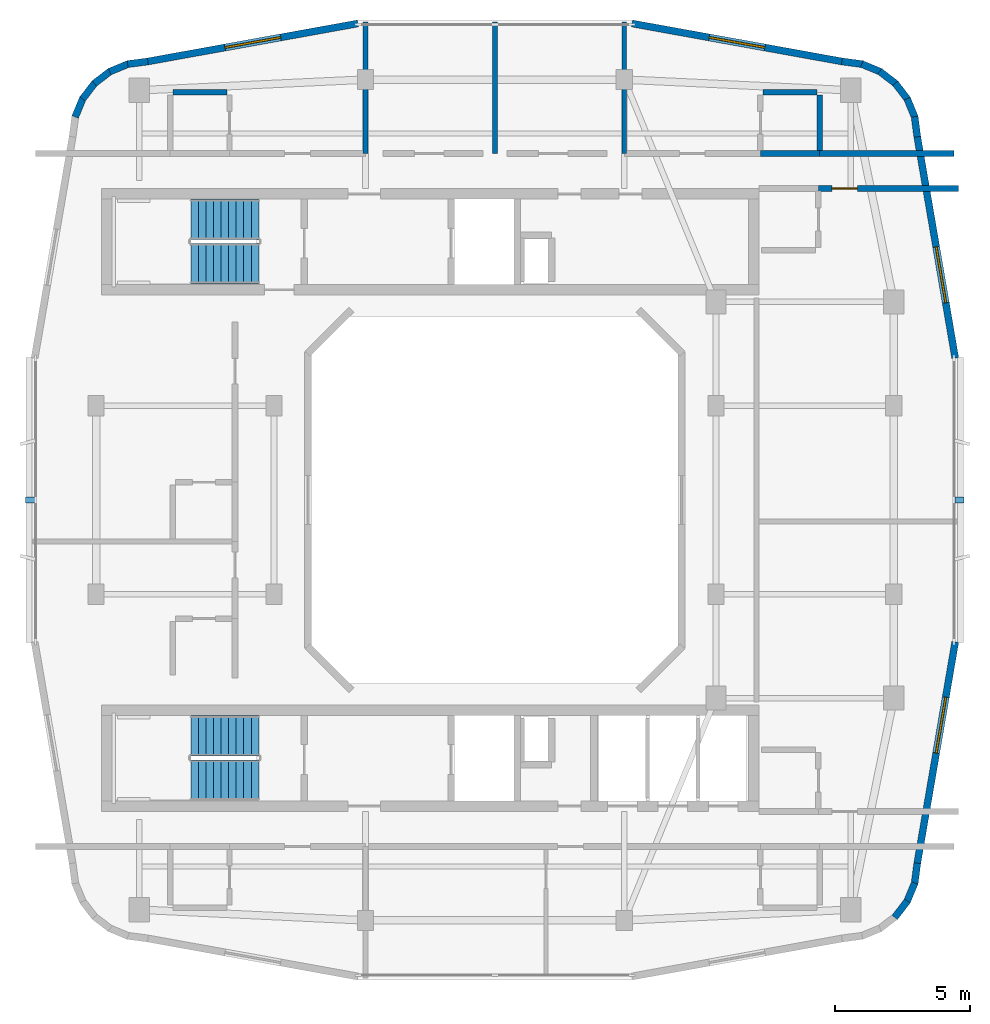
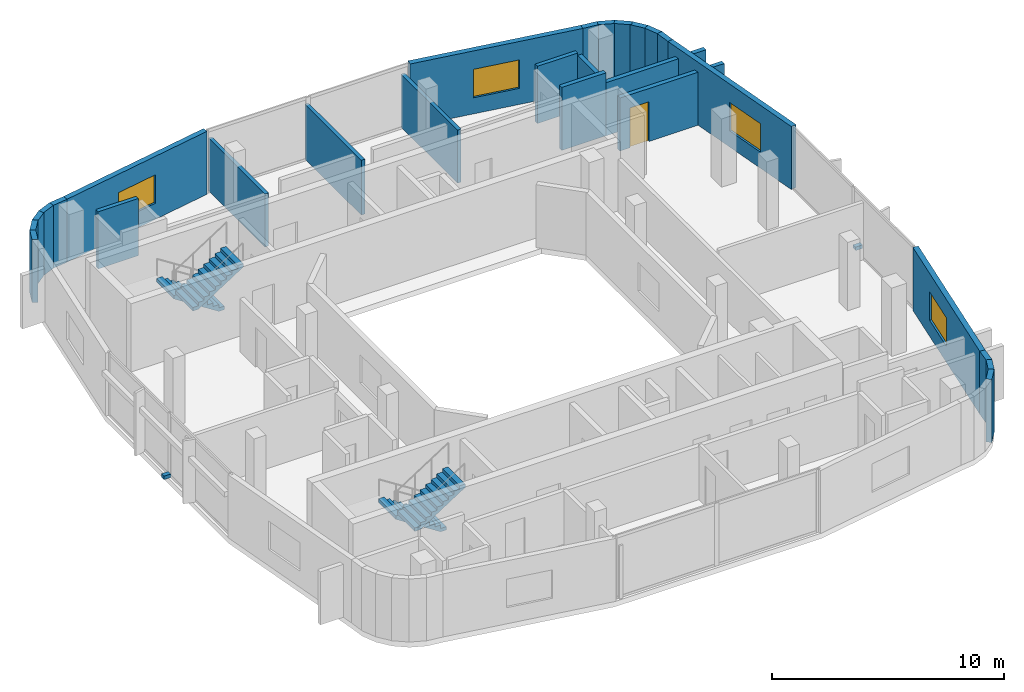
# One storey, part 6 of 8: 27 walls, 4 stair flights, 4 windows, 2 discrete accessories, 1 door, 5 openings, 2 elements without a shape of their own.
"""IFC4 building model written with IfcOpenShell, lengths in metres."""

from ifc_helpers import new_model, si_unit, derived_unit, direction, frame, frame_2d, origin, origin_2d, place, context, subcontext, project, spatial, polyline, rectangle, outline, extrude, material, layer, layer_set, type_object, element, fill, aggregate, save


model = new_model("IFC4")

# Units and contexts
model_context = context("Model", 3, precision=1e-05, world=origin(), true_north=direction((0.0, 1.0)))
body_context = subcontext(model_context, "Body", "Model", "MODEL_VIEW")
ifc_project = project(units=[si_unit("LENGTHUNIT", "METRE"), si_unit("AREAUNIT", "SQUARE_METRE"), si_unit("VOLUMEUNIT", "CUBIC_METRE"), si_unit("PLANEANGLEUNIT", "RADIAN"), si_unit("MASSUNIT", "GRAM", prefix="KILO"), derived_unit("THERMALTRANSMITTANCEUNIT", [(si_unit("POWERUNIT", "WATT"), 1), (si_unit("LENGTHUNIT", "METRE"), -2), (si_unit("THERMODYNAMICTEMPERATUREUNIT", "KELVIN"), -1)])], contexts=[model_context])

# Site, building, storey
site_placement = place(None, origin())
site = spatial("IfcSite", under=ifc_project, at=site_placement, CompositionType="ELEMENT")
building_placement = place(site_placement, origin())
building = spatial("IfcBuilding", under=site, at=building_placement, Name="Kivonza Crest Hotel", CompositionType="ELEMENT")
storey_placement = place(building_placement, frame((0.0, 0.0, 257.60009765625)))
storey = spatial("IfcBuildingStorey", under=building, at=storey_placement, Name="L70", CompositionType="ELEMENT", Elevation=257.60009765625)

# Walls
ifc_material_1 = material(Name="High-density acoustic masonry inter-tenancy wall", Category="masonry")
ifc_layer_1 = layer(ifc_material_1, 0.179931640625)
ifc_layer_set_1 = layer_set([ifc_layer_1], Name="High-density acoustic masonry inter-tenancy wall")
wall_type_1 = type_object("IfcWallType", Name="WL-ACOU-180", PredefinedType="SOLIDWALL", material=ifc_layer_set_1)
wall_1_placement = place(storey_placement, frame((16.199951171875, 37.860107421875, 0.0), z_axis=(0.0, 0.0, 1.0), x_axis=(0.0, 1.0, 0.0)))
element("IfcWall", 1, at=wall_1_placement, inside=storey, type_object=wall_type_1, Name="L70 interior partition WA-L70-T1N-DIV1", PredefinedType="SOLIDWALL", context=body_context, shape_type="SweptSolid", body=[
    extrude(rectangle(XDim=4.8798828125, YDim=0.179931640625, at=frame_2d((2.43994140625, 0.0))), origin(), (0.0, 0.0, 1.0), 2.794921875),
])
wall_2_placement = place(storey_placement, frame((21.0, 37.860107421875, 0.0), z_axis=(0.0, 0.0, 1.0), x_axis=(0.0, 1.0, 0.0)))
element("IfcWall", 2, at=wall_2_placement, inside=storey, type_object=wall_type_1, Name="L70 interior partition WA-L70-T1N-SPDIV70", PredefinedType="SOLIDWALL", context=body_context, shape_type="SweptSolid", body=[
    extrude(rectangle(XDim=4.8798828125, YDim=0.179931640625, at=frame_2d((2.43994140625, 0.0))), origin(), (0.0, 0.0, 1.0), 2.89501953125),
])
wall_3_placement = place(storey_placement, frame((25.800048828125, 37.860107421875, 0.0), z_axis=(0.0, 0.0, 1.0), x_axis=(0.0, 1.0, 0.0)))
element("IfcWall", 3, at=wall_3_placement, inside=storey, type_object=wall_type_1, Name="L70 interior partition WA-L70-T1N-DIV2", PredefinedType="SOLIDWALL", context=body_context, shape_type="SweptSolid", body=[
    extrude(rectangle(XDim=4.8798828125, YDim=0.179931640625, at=frame_2d((2.43994140625, 0.0))), origin(), (0.0, 0.0, 1.0), 2.794921875),
])
ifc_material_2 = material(Name="Autoclaved aerated concrete blockwork", Category="masonry")
ifc_layer_2 = layer(ifc_material_2, 0.219970703125)
ifc_layer_set_2 = layer_set([ifc_layer_2], Name="Autoclaved aerated concrete blockwork")
wall_type_2 = type_object("IfcWallType", Name="WL-ACOU-220", PredefinedType="SOLIDWALL", material=ifc_layer_set_2)
wall_4_placement = place(storey_placement, frame((33.050048828125, 37.860107421875, 0.0), z_axis=(0.0, 0.0, 1.0), x_axis=(1.0, 0.0, 0.0)))
element("IfcWall", 4, at=wall_4_placement, inside=storey, type_object=wall_type_2, Name="L70 interior partition WA-L70-N02-XCORR", PredefinedType="SOLIDWALL", context=body_context, shape_type="SweptSolid", body=[
    extrude(rectangle(XDim=4.989990234375, YDim=0.219970703125, at=frame_2d((2.4951171875, 0.0))), origin(), (0.0, 0.0, 1.0), 2.794921875),
])
wall_5_placement = place(storey_placement, frame((30.85009765625, 37.860107421875, 0.0), z_axis=(0.0, 0.0, 1.0), x_axis=(1.0, 0.0, 0.0)))
element("IfcWall", 5, at=wall_5_placement, inside=storey, type_object=wall_type_2, Name="L70 interior partition WA-L70-N02-BCORR", PredefinedType="SOLIDWALL", context=body_context, shape_type="SweptSolid", body=[
    extrude(rectangle(XDim=2.199951171875, YDim=0.219970703125, at=frame_2d((1.10009765625, 0.0))), origin(), (0.0, 0.0, 1.0), 3.31982421875),
])

# Wall, opening, door
wall_6_placement = place(storey_placement, frame((33.0, 36.56005859375, 0.0), z_axis=(0.0, 0.0, 1.0), x_axis=(1.0, 0.0, 0.0)))
wall_6 = element("IfcWall", 6, at=wall_6_placement, inside=storey, type_object=wall_type_2, Name="L70 interior partition WA-L70-EN08-MCORR", PredefinedType="SOLIDWALL", context=body_context, shape_type="SweptSolid", body=[
    extrude(rectangle(XDim=5.199951171875, YDim=0.219970703125, at=frame_2d((2.60009765625, 0.0))), origin(), (0.0, 0.0, 1.0), 2.794921875),
])
opening_1_placement = place(wall_6_placement, frame((0.5, 0.0, 0.0)))
opening_1 = element("IfcOpeningElement", 7, at=opening_1_placement, cuts=wall_6, Name="Opening DU-60", PredefinedType="OPENING", context=body_context, shape_type="SweptSolid", body=[
    extrude(rectangle(XDim=0.949951171875, YDim=2.10009765625, at=frame_2d((0.47509765625, 1.050048828125))), frame((0.0, 0.1201171875, 0.0), z_axis=(0.0, -1.0, 0.0), x_axis=(1.0, 0.0, 0.0)), (0.0, 0.0, 1.0), 0.239990234375),
])
ifc_material_3 = material(Name="Hardwood timber oak", Category="wood")
door_type = type_object("IfcDoorType", Name="DR-UNIT-950", OperationType="NOTDEFINED", PredefinedType="DOOR", material=ifc_material_3)
door_placement = place(opening_1_placement, frame((0.949951171875, 0.0, 0.0), z_axis=(0.0, 0.0, 1.0), x_axis=(-1.0, 0.0, 0.0)))
door = element("IfcDoor", 8, at=door_placement, inside=storey, type_object=door_type, Name="L70 EN08 guest unit entrance fire door", OperationType="SINGLE_SWING_LEFT", OverallHeight=2.10009765625, OverallWidth=0.949951171875, PredefinedType="DOOR", context=body_context, shape_type="SweptSolid", body=[
    extrude(rectangle(XDim=0.949951171875, YDim=2.10009765625, at=frame_2d((0.47509765625, 1.050048828125))), frame((0.0, 0.02490234375, 0.0), z_axis=(0.0, -1.0, 0.0), x_axis=(1.0, 0.0, 0.0)), (0.0, 0.0, 1.0), 0.050048828125),
])
fill(opening_1, door)

# Walls
ifc_material_4 = material(Name="Precast concrete C40/50", Category="concrete")
ifc_layer_3 = layer(ifc_material_4, 0.260009765625)
ifc_layer_set_3 = layer_set([ifc_layer_3], Name="Precast concrete C40/50")
wall_type_3 = type_object("IfcWallType", Name="WL-EXT-260", PredefinedType="STANDARD", material=ifc_layer_set_3)
for number, where, z_axis, x_axis, name in (
    (9, (35.8330078125, 9.508056640625, 0.0), (0.0, 0.0, 1.0), (0.607614460654, 0.794232124259, 0.0), "L70 T1 exterior insulated wall 13"),
    (10, (36.281005859375, 10.076904296875, 0.0), (0.0, 0.0, 1.0), (0.383245345798, 0.923646580096, 0.0), "L70 T1 exterior insulated wall 14"),
):
    element("IfcWall", number, at=place(storey_placement, frame(where, z_axis=z_axis, x_axis=x_axis)), inside=storey, type_object=wall_type_3, Name=name, PredefinedType="STANDARD", context=body_context, shape_type="SweptSolid", body=[
        extrude(rectangle(XDim=0.77197265625, YDim=0.260009765625, at=frame_2d((0.385986328125, 0.0))), origin(), (0.0, 0.0, 1.0), 3.31982421875),
    ])
wall_7_placement = place(storey_placement, frame((36.569091796875, 10.740966796875, 0.0), z_axis=(0.0, 0.0, 1.0), x_axis=(0.130302751316, 0.991474252313, 0.0)))
element("IfcWall", 11, at=wall_7_placement, inside=storey, type_object=wall_type_3, Name="L70 T1 exterior insulated wall 15", PredefinedType="STANDARD", context=body_context, shape_type="SweptSolid", body=[
    extrude(rectangle(XDim=0.790771484375, YDim=0.260009765625, at=frame_2d((0.3955078125, 0.0))), origin(), (0.0, 0.0, 1.0), 3.31982421875),
])

# Wall, opening, window
wall_8_placement = place(storey_placement, frame((36.6708984375, 11.513916015625, 0.0), z_axis=(0.0, 0.0, 1.0), x_axis=(0.169038545376, 0.985609440994, 0.0)))
wall_8 = element("IfcWall", 12, at=wall_8_placement, inside=storey, type_object=wall_type_3, Name="L70 T1 exterior insulated wall 16", PredefinedType="STANDARD", context=body_context, shape_type="SweptSolid", body=[
    extrude(rectangle(XDim=8.34228515625, YDim=0.260009765625, at=frame_2d((4.171142578125, 0.0))), origin(), (0.0, 0.0, 1.0), 3.31982421875),
])
opening_2_placement = place(wall_8_placement, frame((4.156005859375, 0.0, 0.85009765625)))
opening_2 = element("IfcOpeningElement", 13, at=opening_2_placement, cuts=wall_8, Name="Opening WN-04", PredefinedType="OPENING", context=body_context, shape_type="SweptSolid", body=[
    extrude(rectangle(XDim=2.10009765625, YDim=1.5, at=frame_2d((1.050048828125, 0.75))), frame((0.0, 0.14013671875, 0.0), z_axis=(0.0, -1.0, 0.0), x_axis=(1.0, 0.0, 0.0)), (0.0, 0.0, 1.0), 0.280029296875),
])
ifc_material_5 = material(Name="Thermally broken bronze aluminium and low-E double glazing", Category="aluminium")
window_type = type_object("IfcWindowType", Name="WN-210x150", PartitioningType="DOUBLE_PANEL_VERTICAL", PredefinedType="WINDOW", material=ifc_material_5)
window_1_placement = place(opening_2_placement, origin())
window_1 = element("IfcWindow", 14, at=window_1_placement, inside=storey, type_object=window_type, Name="L70 T1 facade window 16", OverallHeight=1.5, OverallWidth=2.10009765625, PartitioningType="SINGLE_PANEL", PredefinedType="WINDOW", context=body_context, shape_type="SweptSolid", body=[
    extrude(rectangle(XDim=2.10009765625, YDim=1.5, at=frame_2d((1.050048828125, 0.75))), frame((0.0, 0.030029296875, 0.0), z_axis=(0.0, -1.0, 0.0), x_axis=(1.0, 0.0, 0.0)), (0.0, 0.0, 1.0), 0.06005859375),
])
fill(opening_2, window_1)

wall_9_placement = place(storey_placement, frame((38.0810546875, 30.263916015625, 0.0), z_axis=(0.0, 0.0, 1.0), x_axis=(-0.169038545376, 0.985609440994, 0.0)))
wall_9 = element("IfcWall", 15, at=wall_9_placement, inside=storey, type_object=wall_type_3, Name="L70 T1 exterior insulated wall 18", PredefinedType="STANDARD", context=body_context, shape_type="SweptSolid", body=[
    extrude(rectangle(XDim=8.34228515625, YDim=0.260009765625, at=frame_2d((4.171142578125, 0.0))), origin(), (0.0, 0.0, 1.0), 3.31982421875),
])
opening_3_placement = place(wall_9_placement, frame((2.0869140625, 0.0, 0.85009765625)))
opening_3 = element("IfcOpeningElement", 16, at=opening_3_placement, cuts=wall_9, Name="Opening WN-04", PredefinedType="OPENING", context=body_context, shape_type="SweptSolid", body=[
    extrude(rectangle(XDim=2.10009765625, YDim=1.5, at=frame_2d((1.050048828125, 0.75))), frame((0.0, 0.14013671875, 0.0), z_axis=(0.0, -1.0, 0.0), x_axis=(1.0, 0.0, 0.0)), (0.0, 0.0, 1.0), 0.280029296875),
])
window_2_placement = place(opening_3_placement, origin())
window_2 = element("IfcWindow", 17, at=window_2_placement, inside=storey, type_object=window_type, Name="L70 T1 facade window 18", OverallHeight=1.5, OverallWidth=2.10009765625, PartitioningType="SINGLE_PANEL", PredefinedType="WINDOW", context=body_context, shape_type="SweptSolid", body=[
    extrude(rectangle(XDim=2.10009765625, YDim=1.5, at=frame_2d((1.050048828125, 0.75))), frame((0.0, 0.030029296875, 0.0), z_axis=(0.0, -1.0, 0.0), x_axis=(1.0, 0.0, 0.0)), (0.0, 0.0, 1.0), 0.06005859375),
])
fill(opening_3, window_2)

# Walls
wall_10_placement = place(storey_placement, frame((36.672119140625, 38.47509765625, 0.0), z_axis=(0.0, 0.0, 1.0), x_axis=(-0.131190038694, 0.991357238208, 0.0)))
element("IfcWall", 18, at=wall_10_placement, inside=storey, type_object=wall_type_3, Name="L70 T1 exterior insulated wall 19", PredefinedType="STANDARD", context=body_context, shape_type="SweptSolid", body=[
    extrude(rectangle(XDim=0.755615234375, YDim=0.260009765625, at=frame_2d((0.3779296875, 0.0))), origin(), (0.0, 0.0, 1.0), 3.31982421875),
])
wall_11_placement = place(storey_placement, frame((36.591064453125, 39.177978515625, 0.0), z_axis=(0.0, 0.0, 1.0), x_axis=(-0.383515061956, 0.923534621578, 0.0)))
element("IfcWall", 19, at=wall_11_placement, inside=storey, type_object=wall_type_3, Name="L70 T1 exterior insulated wall 20", PredefinedType="STANDARD", context=body_context, shape_type="SweptSolid", body=[
    extrude(rectangle(XDim=0.772216796875, YDim=0.260009765625, at=frame_2d((0.38623046875, 0.0))), origin(), (0.0, 0.0, 1.0), 3.31982421875),
])
for number, where, z_axis, x_axis, name in (
    (20, (36.322998046875, 39.85107421875, 0.0), (0.0, 0.0, 1.0), (-0.607614460654, 0.794232124259, 0.0), "L70 T1 exterior insulated wall 21"),
    (21, (35.89208984375, 40.43310546875, 0.0), (0.0, 0.0, 1.0), (-0.794232124259, 0.607614460654, 0.0), "L70 T1 exterior insulated wall 22"),
    (22, (35.322998046875, 40.881103515625, 0.0), (0.0, 0.0, 1.0), (-0.92360011591, 0.383357308384, 0.0), "L70 T1 exterior insulated wall 23"),
):
    element("IfcWall", number, at=place(storey_placement, frame(where, z_axis=z_axis, x_axis=x_axis)), inside=storey, type_object=wall_type_3, Name=name, PredefinedType="STANDARD", context=body_context, shape_type="SweptSolid", body=[
        extrude(rectangle(XDim=0.77197265625, YDim=0.260009765625, at=frame_2d((0.385986328125, 0.0))), origin(), (0.0, 0.0, 1.0), 3.31982421875),
    ])
wall_12_placement = place(storey_placement, frame((34.658935546875, 41.1689453125, 0.0), z_axis=(0.0, 0.0, 1.0), x_axis=(-0.991474252313, 0.130302751316, 0.0)))
element("IfcWall", 23, at=wall_12_placement, inside=storey, type_object=wall_type_3, Name="L70 T1 exterior insulated wall 24", PredefinedType="STANDARD", context=body_context, shape_type="SweptSolid", body=[
    extrude(rectangle(XDim=0.790771484375, YDim=0.260009765625, at=frame_2d((0.3955078125, 0.0))), origin(), (0.0, 0.0, 1.0), 3.31982421875),
])

# Wall, opening, window
wall_13_placement = place(storey_placement, frame((33.885009765625, 41.27099609375, 0.0), z_axis=(0.0, 0.0, 1.0), x_axis=(-0.984039441158, 0.177950493803, 0.0)))
wall_13 = element("IfcWall", 24, at=wall_13_placement, inside=storey, type_object=wall_type_3, Name="L70 T1 exterior insulated wall 25", PredefinedType="STANDARD", context=body_context, shape_type="SweptSolid", body=[
    extrude(rectangle(XDim=7.928466796875, YDim=0.260009765625, at=frame_2d((3.96435546875, 0.0))), origin(), (0.0, 0.0, 1.0), 3.31982421875),
])
opening_4_placement = place(wall_13_placement, frame((2.9140625, 0.0, 0.85009765625)))
opening_4 = element("IfcOpeningElement", 25, at=opening_4_placement, cuts=wall_13, Name="Opening WN-04", PredefinedType="OPENING", context=body_context, shape_type="SweptSolid", body=[
    extrude(rectangle(XDim=2.10009765625, YDim=1.5, at=frame_2d((1.050048828125, 0.75))), frame((0.0, 0.14013671875, 0.0), z_axis=(0.0, -1.0, 0.0), x_axis=(1.0, 0.0, 0.0)), (0.0, 0.0, 1.0), 0.280029296875),
])
window_3_placement = place(opening_4_placement, origin())
window_3 = element("IfcWindow", 26, at=window_3_placement, inside=storey, type_object=window_type, Name="L70 T1 facade window 25", OverallHeight=1.5, OverallWidth=2.10009765625, PartitioningType="SINGLE_PANEL", PredefinedType="WINDOW", context=body_context, shape_type="SweptSolid", body=[
    extrude(rectangle(XDim=2.10009765625, YDim=1.5, at=frame_2d((1.050048828125, 0.75))), frame((0.0, 0.030029296875, 0.0), z_axis=(0.0, -1.0, 0.0), x_axis=(1.0, 0.0, 0.0)), (0.0, 0.0, 1.0), 0.06005859375),
])
fill(opening_4, window_3)

wall_14_placement = place(storey_placement, frame((15.9169921875, 42.681884765625, 0.0), z_axis=(0.0, 0.0, 1.0), x_axis=(-0.984039441158, -0.177950493803, 0.0)))
wall_14 = element("IfcWall", 27, at=wall_14_placement, inside=storey, type_object=wall_type_3, Name="L70 T1 exterior insulated wall 27", PredefinedType="STANDARD", context=body_context, shape_type="SweptSolid", body=[
    extrude(rectangle(XDim=7.928466796875, YDim=0.260009765625, at=frame_2d((3.96435546875, 0.0))), origin(), (0.0, 0.0, 1.0), 3.31982421875),
])
opening_5_placement = place(wall_14_placement, frame((2.9140625, 0.0, 0.85009765625)))
opening_5 = element("IfcOpeningElement", 28, at=opening_5_placement, cuts=wall_14, Name="Opening WN-04", PredefinedType="OPENING", context=body_context, shape_type="SweptSolid", body=[
    extrude(rectangle(XDim=2.10009765625, YDim=1.5, at=frame_2d((1.050048828125, 0.75))), frame((0.0, 0.14013671875, 0.0), z_axis=(0.0, -1.0, 0.0), x_axis=(1.0, 0.0, 0.0)), (0.0, 0.0, 1.0), 0.280029296875),
])
window_4_placement = place(opening_5_placement, origin())
window_4 = element("IfcWindow", 29, at=window_4_placement, inside=storey, type_object=window_type, Name="L70 T1 facade window 27", OverallHeight=1.5, OverallWidth=2.10009765625, PartitioningType="SINGLE_PANEL", PredefinedType="WINDOW", context=body_context, shape_type="SweptSolid", body=[
    extrude(rectangle(XDim=2.10009765625, YDim=1.5, at=frame_2d((1.050048828125, 0.75))), frame((0.0, 0.030029296875, 0.0), z_axis=(0.0, -1.0, 0.0), x_axis=(1.0, 0.0, 0.0)), (0.0, 0.0, 1.0), 0.06005859375),
])
fill(opening_5, window_4)

# Walls
wall_15_placement = place(storey_placement, frame((8.125, 41.27197265625, 0.0), z_axis=(0.0, 0.0, 1.0), x_axis=(-0.99139921394, -0.130872451645, 0.0)))
element("IfcWall", 30, at=wall_15_placement, inside=storey, type_object=wall_type_3, Name="L70 T1 exterior insulated wall 28", PredefinedType="STANDARD", context=body_context, shape_type="SweptSolid", body=[
    extrude(rectangle(XDim=0.755615234375, YDim=0.260009765625, at=frame_2d((0.3779296875, 0.0))), origin(), (0.0, 0.0, 1.0), 3.31982421875),
])
for number, where, z_axis, x_axis, name in (
    (31, (7.422119140625, 41.19091796875, 0.0), (0.0, 0.0, 1.0), (-0.923646580096, -0.383245345798, 0.0), "L70 T1 exterior insulated wall 29"),
    (32, (6.7490234375, 40.923095703125, 0.0), (0.0, 0.0, 1.0), (-0.794232124259, -0.607614460654, 0.0), "L70 T1 exterior insulated wall 30"),
    (33, (6.1669921875, 40.491943359375, 0.0), (0.0, 0.0, 1.0), (-0.607614460654, -0.794232124259, 0.0), "L70 T1 exterior insulated wall 31"),
    (34, (5.718994140625, 39.923095703125, 0.0), (0.0, 0.0, 1.0), (-0.383245345798, -0.923646580096, 0.0), "L70 T1 exterior insulated wall 32"),
):
    element("IfcWall", number, at=place(storey_placement, frame(where, z_axis=z_axis, x_axis=x_axis)), inside=storey, type_object=wall_type_3, Name=name, PredefinedType="STANDARD", context=body_context, shape_type="SweptSolid", body=[
        extrude(rectangle(XDim=0.77197265625, YDim=0.260009765625, at=frame_2d((0.385986328125, 0.0))), origin(), (0.0, 0.0, 1.0), 3.31982421875),
    ])
ifc_material_6 = material(Name="Moisture-resistant plumbing chase partition wall", Category="gypsum")
ifc_layer_4 = layer(ifc_material_6, 0.199951171875)
ifc_layer_set_4 = layer_set([ifc_layer_4], Name="Moisture-resistant plumbing chase partition wall")
wall_type_4 = type_object("IfcWallType", Name="WL-PLUMB-200", PredefinedType="PLUMBINGWALL", material=ifc_layer_set_4)
for number, where, z_axis, x_axis, name in (
    (35, (9.050048828125, 40.132080078125, 0.0), (0.0, 0.0, 1.0), (1.0, 0.0, 0.0), "L70 interior partition WW-L70-N01-BH"),
    (36, (30.949951171875, 40.132080078125, 0.0), (0.0, 0.0, 1.0), (1.0, 0.0, 0.0), "L70 interior partition WW-L70-N02-BH"),
):
    element("IfcWall", number, at=place(storey_placement, frame(where, z_axis=z_axis, x_axis=x_axis)), inside=storey, type_object=wall_type_4, Name=name, PredefinedType="PLUMBINGWALL", context=body_context, shape_type="SweptSolid", body=[
        extrude(rectangle(XDim=2.0, YDim=0.199951171875, at=frame_2d((1.0, 0.0))), origin(), (0.0, 0.0, 1.0), 3.014892578125),
    ])
wall_16_placement = place(storey_placement, frame((33.050048828125, 37.9599609375, 0.0), z_axis=(0.0, 0.0, 1.0), x_axis=(0.0, 1.0, 0.0)))
element("IfcWall", 37, at=wall_16_placement, inside=storey, type_object=wall_type_4, Name="L70 interior partition WW-L70-N02-BVE", PredefinedType="PLUMBINGWALL", context=body_context, shape_type="SweptSolid", body=[
    extrude(rectangle(XDim=2.072021484375, YDim=0.199951171875, at=frame_2d((1.0361328125, 0.0))), origin(), (0.0, 0.0, 1.0), 2.89501953125),
])

# Stair, stair flights
ifc_material_7 = material(Name="Concrete C40/50", Category="concrete")
stair_type = type_object("IfcStairType", Name="ST-DL-20R", PredefinedType="HALF_TURN_STAIR", material=ifc_material_7)
stair_1_placement = place(storey_placement, origin())
stair_1 = element("IfcStair", 38, at=stair_1_placement, inside=storey, type_object=stair_type, Name="L70 Protected Exit Stair ST-T1-N", PredefinedType="HALF_TURN_STAIR")
stair_flight_type = type_object("IfcStairFlightType", Name="SFL-RC-10R", PredefinedType="STRAIGHT", material=ifc_material_7)
stair_flight_1_placement = place(storey_placement, frame((12.239990234375, 35.409912109375, 0.0), z_axis=(0.0, 0.0, 1.0), x_axis=(-1.0, 0.0, 0.0)))
stair_flight_1 = element("IfcStairFlight", 39, at=stair_flight_1_placement, type_object=stair_flight_type, Name="ST-T1-N flight 1", NumberOfRisers=10, NumberOfTreads=9, PredefinedType="STRAIGHT", RiserHeight=0.18, TreadLength=0.28, context=body_context, shape_type="SweptSolid", body=[
    extrude(outline(polyline([(0.0, 0.0), (0.0, 0.179931640625), (0.280029296875, 0.179931640625), (0.280029296875, 0.360107421875), (0.56005859375, 0.360107421875), (0.56005859375, 0.5400390625), (0.840087890625, 0.5400390625), (0.840087890625, 0.719970703125), (1.1201171875, 0.719970703125), (1.1201171875, 0.89990234375), (1.39990234375, 0.89990234375), (1.39990234375, 1.080078125), (1.679931640625, 1.080078125), (1.679931640625, 1.260009765625), (1.9599609375, 1.260009765625), (1.9599609375, 1.43994140625), (2.239990234375, 1.43994140625), (2.239990234375, 1.6201171875), (2.52001953125, 1.6201171875), (2.52001953125, 1.800048828125), (2.52001953125, 1.44189453125), (0.277099609375, 0.0), (0.0, 0.0)])), frame((0.0, 0.75, 0.0), z_axis=(0.0, -1.0, 0.0), x_axis=(1.0, 0.0, 0.0)), (0.0, 0.0, 1.0), 1.5),
])
stair_flight_2_placement = place(storey_placement, frame((9.719970703125, 33.77001953125, 1.7998046875), z_axis=(0.0, 0.0, 1.0), x_axis=(1.0, 0.0, 0.0)))
stair_flight_2 = element("IfcStairFlight", 40, at=stair_flight_2_placement, type_object=stair_flight_type, Name="ST-T1-N flight 2", NumberOfRisers=10, NumberOfTreads=9, PredefinedType="STRAIGHT", RiserHeight=0.18, TreadLength=0.28, context=body_context, shape_type="SweptSolid", body=[
    extrude(outline(polyline([(0.0, 0.0), (0.0, 0.179931640625), (0.280029296875, 0.179931640625), (0.280029296875, 0.360107421875), (0.56005859375, 0.360107421875), (0.56005859375, 0.5400390625), (0.840087890625, 0.5400390625), (0.840087890625, 0.719970703125), (1.1201171875, 0.719970703125), (1.1201171875, 0.89990234375), (1.39990234375, 0.89990234375), (1.39990234375, 1.080078125), (1.679931640625, 1.080078125), (1.679931640625, 1.260009765625), (1.9599609375, 1.260009765625), (1.9599609375, 1.43994140625), (2.239990234375, 1.43994140625), (2.239990234375, 1.6201171875), (2.52001953125, 1.6201171875), (2.52001953125, 1.800048828125), (2.52001953125, 1.44189453125), (0.277099609375, 0.0), (0.0, 0.0)])), frame((0.0, 0.75, 0.0), z_axis=(0.0, -1.0, 0.0), x_axis=(1.0, 0.0, 0.0)), (0.0, 0.0, 1.0), 1.5),
])
aggregate(stair_1, [stair_flight_1, stair_flight_2])

stair_2_placement = place(storey_placement, origin())
stair_2 = element("IfcStair", 41, at=stair_2_placement, inside=storey, type_object=stair_type, Name="L70 Protected Exit Stair ST-T1-S", PredefinedType="HALF_TURN_STAIR")
stair_flight_3_placement = place(storey_placement, frame((12.239990234375, 16.25, 0.0), z_axis=(0.0, 0.0, 1.0), x_axis=(-1.0, 0.0, 0.0)))
stair_flight_3 = element("IfcStairFlight", 42, at=stair_flight_3_placement, type_object=stair_flight_type, Name="ST-T1-S flight 1", NumberOfRisers=10, NumberOfTreads=9, PredefinedType="STRAIGHT", RiserHeight=0.18, TreadLength=0.28, context=body_context, shape_type="SweptSolid", body=[
    extrude(outline(polyline([(0.0, 0.0), (0.0, 0.179931640625), (0.280029296875, 0.179931640625), (0.280029296875, 0.360107421875), (0.56005859375, 0.360107421875), (0.56005859375, 0.5400390625), (0.840087890625, 0.5400390625), (0.840087890625, 0.719970703125), (1.1201171875, 0.719970703125), (1.1201171875, 0.89990234375), (1.39990234375, 0.89990234375), (1.39990234375, 1.080078125), (1.679931640625, 1.080078125), (1.679931640625, 1.260009765625), (1.9599609375, 1.260009765625), (1.9599609375, 1.43994140625), (2.239990234375, 1.43994140625), (2.239990234375, 1.6201171875), (2.52001953125, 1.6201171875), (2.52001953125, 1.800048828125), (2.52001953125, 1.44189453125), (0.277099609375, 0.0), (0.0, 0.0)])), frame((0.0, 0.75, 0.0), z_axis=(0.0, -1.0, 0.0), x_axis=(1.0, 0.0, 0.0)), (0.0, 0.0, 1.0), 1.5),
])
stair_flight_4_placement = place(storey_placement, frame((9.719970703125, 14.610107421875, 1.7998046875), z_axis=(0.0, 0.0, 1.0), x_axis=(1.0, 0.0, 0.0)))
stair_flight_4 = element("IfcStairFlight", 43, at=stair_flight_4_placement, type_object=stair_flight_type, Name="ST-T1-S flight 2", NumberOfRisers=10, NumberOfTreads=9, PredefinedType="STRAIGHT", RiserHeight=0.18, TreadLength=0.28, context=body_context, shape_type="SweptSolid", body=[
    extrude(outline(polyline([(0.0, 0.0), (0.0, 0.179931640625), (0.280029296875, 0.179931640625), (0.280029296875, 0.360107421875), (0.56005859375, 0.360107421875), (0.56005859375, 0.5400390625), (0.840087890625, 0.5400390625), (0.840087890625, 0.719970703125), (1.1201171875, 0.719970703125), (1.1201171875, 0.89990234375), (1.39990234375, 0.89990234375), (1.39990234375, 1.080078125), (1.679931640625, 1.080078125), (1.679931640625, 1.260009765625), (1.9599609375, 1.260009765625), (1.9599609375, 1.43994140625), (2.239990234375, 1.43994140625), (2.239990234375, 1.6201171875), (2.52001953125, 1.6201171875), (2.52001953125, 1.800048828125), (2.52001953125, 1.44189453125), (0.277099609375, 0.0), (0.0, 0.0)])), frame((0.0, 0.75, 0.0), z_axis=(0.0, -1.0, 0.0), x_axis=(1.0, 0.0, 0.0)), (0.0, 0.0, 1.0), 1.5),
])
aggregate(stair_2, [stair_flight_3, stair_flight_4])

# Discrete accessories
ifc_material_8 = material(Name="Stainless steel 316", Category="steel")
discrete_accessory_type = type_object("IfcDiscreteAccessoryType", Name="AC-BRACKET-240", PredefinedType="BRACKET", material=ifc_material_8)
for number, where, z_axis, x_axis, name in (
    (44, (38.239990234375, 25.0, -0.01025390625), (0.0, 0.0, 1.0), (0.0, 1.0, 0.0), "L70 terracotta baguette support bracket CW-T1-L70-17"),
    (45, (3.760009765625, 25.0, -0.01025390625), (0.0, 0.0, 1.0), (0.0, -1.0, 0.0), "L70 terracotta baguette support bracket CW-T1-L70-35"),
):
    element("IfcDiscreteAccessory", number, at=place(storey_placement, frame(where, z_axis=z_axis, x_axis=x_axis)), inside=storey, type_object=discrete_accessory_type, Name=name, PredefinedType="BRACKET", context=body_context, shape_type="SweptSolid", body=[
        extrude(rectangle(XDim=0.219970703125, YDim=0.340087890625, at=origin_2d()), origin(), (0.0, 0.0, 1.0), 0.179931640625),
    ])

save(model, "model.ifc")
